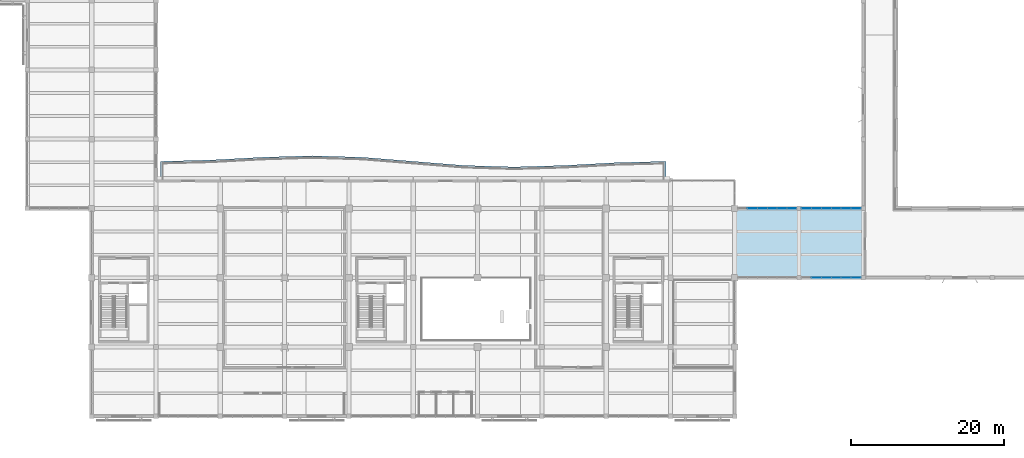
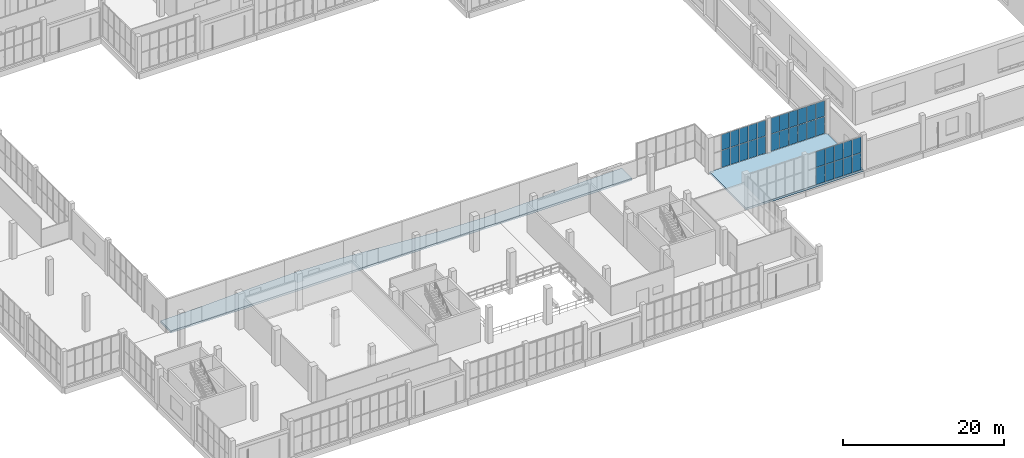
# One storey, part 100 of 132: 32 plates, 2 slabs, 3 elements without a shape of their own.
"""IFC4 building model written with IfcOpenShell, lengths in metres."""

from ifc_helpers import new_model, si_unit, direction, frame, origin, origin_2d, place, context, subcontext, project, spatial, polyline, rectangle, outline, extrude, material, layer, layer_set, type_object, element, aggregate, save


model = new_model("IFC4")

# Units and contexts
model_context = context("Model", 3, precision=1e-05, world=origin(), true_north=direction((0.0, 1.0)))
body_context = subcontext(model_context, "Body", "Model", "MODEL_VIEW")
ifc_project = project(units=[si_unit("LENGTHUNIT", "METRE"), si_unit("AREAUNIT", "SQUARE_METRE"), si_unit("VOLUMEUNIT", "CUBIC_METRE"), si_unit("PLANEANGLEUNIT", "RADIAN"), si_unit("MASSUNIT", "GRAM", prefix="KILO")], contexts=[model_context])

# Site, building, storey
site_placement = place(None, origin())
site = spatial("IfcSite", under=ifc_project, at=site_placement, CompositionType="ELEMENT")
building_placement = place(site_placement, origin())
building = spatial("IfcBuilding", under=site, at=building_placement, Name="Khurvash Pelagic Aquarium", CompositionType="ELEMENT")
storey_placement = place(building_placement, frame((0.0, 0.0, 5.39990234375)))
storey = spatial("IfcBuildingStorey", under=building, at=storey_placement, Name="L01", CompositionType="ELEMENT", Elevation=5.39990234375)

# Curtain wall, plates
ifc_material_1 = material(Name="Anodised aluminium and low-E laminated glass", Category="aluminium")
curtain_wall_type = type_object("IfcCurtainWallType", Name="CW-05", PredefinedType="USERDEFINED", material=ifc_material_1)
curtain_wall_1_placement = place(storey_placement, origin())
curtain_wall_1 = element("IfcCurtainWall", 1, at=curtain_wall_1_placement, inside=storey, type_object=curtain_wall_type, Name="L01 Facade Unitised Curtain Wall CW-05 0110", ObjectType="UNITISED CURTAIN WALL", PredefinedType="USERDEFINED")
ifc_material_2 = material(Name="Low-E laminated double glazing", Category="glass")
ifc_layer_1 = layer(ifc_material_2, 0.033935546875)
ifc_layer_set_1 = layer_set([ifc_layer_1], Name="Low-E laminated double glazing")
plate_type = type_object("IfcPlateType", Name="CG-05", PredefinedType="CURTAIN_PANEL", material=ifc_layer_set_1)
plate_1_placement = place(storey_placement, frame((119.8525390625, 20.699951171875, 0.06005859375), z_axis=(0.0, 0.0, 1.0), x_axis=(1.0, 0.0, 0.0)))
plate_1 = element("IfcPlate", 2, at=plate_1_placement, type_object=plate_type, Name="CW-05 panel 2.1", PredefinedType="CURTAIN_PANEL", context=body_context, shape_type="SweptSolid", body=[
    extrude(rectangle(XDim=1.23828125, YDim=0.033935546875, at=origin_2d()), origin(), (0.0, 0.0, 1.0), 2.56201171875),
])
plate_2_placement = place(storey_placement, frame((119.8525390625, 20.699951171875, 2.68212890625), z_axis=(0.0, 0.0, 1.0), x_axis=(1.0, 0.0, 0.0)))
plate_2 = element("IfcPlate", 3, at=plate_2_placement, type_object=plate_type, Name="CW-05 panel 2.2", PredefinedType="CURTAIN_PANEL", context=body_context, shape_type="SweptSolid", body=[
    extrude(rectangle(XDim=1.23828125, YDim=0.033935546875, at=origin_2d()), origin(), (0.0, 0.0, 1.0), 2.35791015625),
])
plate_3_placement = place(storey_placement, frame((121.15087890625, 20.699951171875, 0.06005859375), z_axis=(0.0, 0.0, 1.0), x_axis=(1.0, 0.0, 0.0)))
plate_3 = element("IfcPlate", 4, at=plate_3_placement, type_object=plate_type, Name="CW-05 panel 3.1", PredefinedType="CURTAIN_PANEL", context=body_context, shape_type="SweptSolid", body=[
    extrude(rectangle(XDim=1.23828125, YDim=0.033935546875, at=origin_2d()), origin(), (0.0, 0.0, 1.0), 2.56201171875),
])
plate_4_placement = place(storey_placement, frame((121.15087890625, 20.699951171875, 2.68212890625), z_axis=(0.0, 0.0, 1.0), x_axis=(1.0, 0.0, 0.0)))
plate_4 = element("IfcPlate", 5, at=plate_4_placement, type_object=plate_type, Name="CW-05 panel 3.2", PredefinedType="CURTAIN_PANEL", context=body_context, shape_type="SweptSolid", body=[
    extrude(rectangle(XDim=1.23828125, YDim=0.033935546875, at=origin_2d()), origin(), (0.0, 0.0, 1.0), 2.35791015625),
])
plate_5_placement = place(storey_placement, frame((122.44921875, 20.699951171875, 0.06005859375), z_axis=(0.0, 0.0, 1.0), x_axis=(1.0, 0.0, 0.0)))
plate_5 = element("IfcPlate", 6, at=plate_5_placement, type_object=plate_type, Name="CW-05 panel 4.1", PredefinedType="CURTAIN_PANEL", context=body_context, shape_type="SweptSolid", body=[
    extrude(rectangle(XDim=1.23828125, YDim=0.033935546875, at=origin_2d()), origin(), (0.0, 0.0, 1.0), 2.56201171875),
])
plate_6_placement = place(storey_placement, frame((122.44921875, 20.699951171875, 2.68212890625), z_axis=(0.0, 0.0, 1.0), x_axis=(1.0, 0.0, 0.0)))
plate_6 = element("IfcPlate", 7, at=plate_6_placement, type_object=plate_type, Name="CW-05 panel 4.2", PredefinedType="CURTAIN_PANEL", context=body_context, shape_type="SweptSolid", body=[
    extrude(rectangle(XDim=1.23828125, YDim=0.033935546875, at=origin_2d()), origin(), (0.0, 0.0, 1.0), 2.35791015625),
])
plate_7_placement = place(storey_placement, frame((123.74755859375, 20.699951171875, 0.06005859375), z_axis=(0.0, 0.0, 1.0), x_axis=(1.0, 0.0, 0.0)))
plate_7 = element("IfcPlate", 8, at=plate_7_placement, type_object=plate_type, Name="CW-05 panel 5.1", PredefinedType="CURTAIN_PANEL", context=body_context, shape_type="SweptSolid", body=[
    extrude(rectangle(XDim=1.23828125, YDim=0.033935546875, at=origin_2d()), origin(), (0.0, 0.0, 1.0), 2.56201171875),
])
plate_8_placement = place(storey_placement, frame((123.74755859375, 20.699951171875, 2.68212890625), z_axis=(0.0, 0.0, 1.0), x_axis=(1.0, 0.0, 0.0)))
plate_8 = element("IfcPlate", 9, at=plate_8_placement, type_object=plate_type, Name="CW-05 panel 5.2", PredefinedType="CURTAIN_PANEL", context=body_context, shape_type="SweptSolid", body=[
    extrude(rectangle(XDim=1.23828125, YDim=0.033935546875, at=origin_2d()), origin(), (0.0, 0.0, 1.0), 2.35791015625),
])
plate_9_placement = place(storey_placement, frame((125.03076171875, 20.699951171875, 0.06005859375), z_axis=(0.0, 0.0, 1.0), x_axis=(1.0, 0.0, 0.0)))
plate_9 = element("IfcPlate", 10, at=plate_9_placement, type_object=plate_type, Name="CW-05 panel 6.1", PredefinedType="CURTAIN_PANEL", context=body_context, shape_type="SweptSolid", body=[
    extrude(rectangle(XDim=1.208251953125, YDim=0.033935546875, at=origin_2d()), origin(), (0.0, 0.0, 1.0), 2.56201171875),
])
plate_10_placement = place(storey_placement, frame((125.03076171875, 20.699951171875, 2.68212890625), z_axis=(0.0, 0.0, 1.0), x_axis=(1.0, 0.0, 0.0)))
plate_10 = element("IfcPlate", 11, at=plate_10_placement, type_object=plate_type, Name="CW-05 panel 6.2", PredefinedType="CURTAIN_PANEL", context=body_context, shape_type="SweptSolid", body=[
    extrude(rectangle(XDim=1.208251953125, YDim=0.033935546875, at=origin_2d()), origin(), (0.0, 0.0, 1.0), 2.35791015625),
])
aggregate(curtain_wall_1, [plate_1, plate_2, plate_3, plate_4, plate_5, plate_6, plate_7, plate_8, plate_9, plate_10])

curtain_wall_2_placement = place(storey_placement, origin())
curtain_wall_2 = element("IfcCurtainWall", 12, at=curtain_wall_2_placement, inside=storey, type_object=curtain_wall_type, Name="L01 Facade Unitised Curtain Wall CW-05 0144", ObjectType="UNITISED CURTAIN WALL", PredefinedType="USERDEFINED")
plate_11_placement = place(storey_placement, frame((125.03076171875, 29.75, 0.06005859375), z_axis=(0.0, 0.0, 1.0), x_axis=(-1.0, 0.0, 0.0)))
plate_11 = element("IfcPlate", 13, at=plate_11_placement, type_object=plate_type, Name="CW-05 panel 1.1", PredefinedType="CURTAIN_PANEL", context=body_context, shape_type="SweptSolid", body=[
    extrude(rectangle(XDim=1.208251953125, YDim=0.033935546875, at=origin_2d()), origin(), (0.0, 0.0, 1.0), 2.56201171875),
])
plate_12_placement = place(storey_placement, frame((125.03076171875, 29.75, 2.68212890625), z_axis=(0.0, 0.0, 1.0), x_axis=(-1.0, 0.0, 0.0)))
plate_12 = element("IfcPlate", 14, at=plate_12_placement, type_object=plate_type, Name="CW-05 panel 1.2", PredefinedType="CURTAIN_PANEL", context=body_context, shape_type="SweptSolid", body=[
    extrude(rectangle(XDim=1.208251953125, YDim=0.033935546875, at=origin_2d()), origin(), (0.0, 0.0, 1.0), 2.35791015625),
])
plate_13_placement = place(storey_placement, frame((123.74755859375, 29.75, 0.06005859375), z_axis=(0.0, 0.0, 1.0), x_axis=(-1.0, 0.0, 0.0)))
plate_13 = element("IfcPlate", 15, at=plate_13_placement, type_object=plate_type, Name="CW-05 panel 2.1", PredefinedType="CURTAIN_PANEL", context=body_context, shape_type="SweptSolid", body=[
    extrude(rectangle(XDim=1.23828125, YDim=0.033935546875, at=origin_2d()), origin(), (0.0, 0.0, 1.0), 2.56201171875),
])
plate_14_placement = place(storey_placement, frame((123.74755859375, 29.75, 2.68212890625), z_axis=(0.0, 0.0, 1.0), x_axis=(-1.0, 0.0, 0.0)))
plate_14 = element("IfcPlate", 16, at=plate_14_placement, type_object=plate_type, Name="CW-05 panel 2.2", PredefinedType="CURTAIN_PANEL", context=body_context, shape_type="SweptSolid", body=[
    extrude(rectangle(XDim=1.23828125, YDim=0.033935546875, at=origin_2d()), origin(), (0.0, 0.0, 1.0), 2.35791015625),
])
plate_15_placement = place(storey_placement, frame((122.44921875, 29.75, 0.06005859375), z_axis=(0.0, 0.0, 1.0), x_axis=(-1.0, 0.0, 0.0)))
plate_15 = element("IfcPlate", 17, at=plate_15_placement, type_object=plate_type, Name="CW-05 panel 3.1", PredefinedType="CURTAIN_PANEL", context=body_context, shape_type="SweptSolid", body=[
    extrude(rectangle(XDim=1.23828125, YDim=0.033935546875, at=origin_2d()), origin(), (0.0, 0.0, 1.0), 2.56201171875),
])
plate_16_placement = place(storey_placement, frame((122.44921875, 29.75, 2.68212890625), z_axis=(0.0, 0.0, 1.0), x_axis=(-1.0, 0.0, 0.0)))
plate_16 = element("IfcPlate", 18, at=plate_16_placement, type_object=plate_type, Name="CW-05 panel 3.2", PredefinedType="CURTAIN_PANEL", context=body_context, shape_type="SweptSolid", body=[
    extrude(rectangle(XDim=1.23828125, YDim=0.033935546875, at=origin_2d()), origin(), (0.0, 0.0, 1.0), 2.35791015625),
])
plate_17_placement = place(storey_placement, frame((121.15087890625, 29.75, 0.06005859375), z_axis=(0.0, 0.0, 1.0), x_axis=(-1.0, 0.0, 0.0)))
plate_17 = element("IfcPlate", 19, at=plate_17_placement, type_object=plate_type, Name="CW-05 panel 4.1", PredefinedType="CURTAIN_PANEL", context=body_context, shape_type="SweptSolid", body=[
    extrude(rectangle(XDim=1.23828125, YDim=0.033935546875, at=origin_2d()), origin(), (0.0, 0.0, 1.0), 2.56201171875),
])
plate_18_placement = place(storey_placement, frame((121.15087890625, 29.75, 2.68212890625), z_axis=(0.0, 0.0, 1.0), x_axis=(-1.0, 0.0, 0.0)))
plate_18 = element("IfcPlate", 20, at=plate_18_placement, type_object=plate_type, Name="CW-05 panel 4.2", PredefinedType="CURTAIN_PANEL", context=body_context, shape_type="SweptSolid", body=[
    extrude(rectangle(XDim=1.23828125, YDim=0.033935546875, at=origin_2d()), origin(), (0.0, 0.0, 1.0), 2.35791015625),
])
plate_19_placement = place(storey_placement, frame((119.8525390625, 29.75, 0.06005859375), z_axis=(0.0, 0.0, 1.0), x_axis=(-1.0, 0.0, 0.0)))
plate_19 = element("IfcPlate", 21, at=plate_19_placement, type_object=plate_type, Name="CW-05 panel 5.1", PredefinedType="CURTAIN_PANEL", context=body_context, shape_type="SweptSolid", body=[
    extrude(rectangle(XDim=1.23828125, YDim=0.033935546875, at=origin_2d()), origin(), (0.0, 0.0, 1.0), 2.56201171875),
])
plate_20_placement = place(storey_placement, frame((119.8525390625, 29.75, 2.68212890625), z_axis=(0.0, 0.0, 1.0), x_axis=(-1.0, 0.0, 0.0)))
plate_20 = element("IfcPlate", 22, at=plate_20_placement, type_object=plate_type, Name="CW-05 panel 5.2", PredefinedType="CURTAIN_PANEL", context=body_context, shape_type="SweptSolid", body=[
    extrude(rectangle(XDim=1.23828125, YDim=0.033935546875, at=origin_2d()), origin(), (0.0, 0.0, 1.0), 2.35791015625),
])
plate_21_placement = place(storey_placement, frame((118.569091796875, 29.75, 0.06005859375), z_axis=(0.0, 0.0, 1.0), x_axis=(-1.0, 0.0, 0.0)))
plate_21 = element("IfcPlate", 23, at=plate_21_placement, type_object=plate_type, Name="CW-05 panel 6.1", PredefinedType="CURTAIN_PANEL", context=body_context, shape_type="SweptSolid", body=[
    extrude(rectangle(XDim=1.208251953125, YDim=0.033935546875, at=origin_2d()), origin(), (0.0, 0.0, 1.0), 2.56201171875),
])
plate_22_placement = place(storey_placement, frame((118.569091796875, 29.75, 2.68212890625), z_axis=(0.0, 0.0, 1.0), x_axis=(-1.0, 0.0, 0.0)))
plate_22 = element("IfcPlate", 24, at=plate_22_placement, type_object=plate_type, Name="CW-05 panel 6.2", PredefinedType="CURTAIN_PANEL", context=body_context, shape_type="SweptSolid", body=[
    extrude(rectangle(XDim=1.208251953125, YDim=0.033935546875, at=origin_2d()), origin(), (0.0, 0.0, 1.0), 2.35791015625),
])
aggregate(curtain_wall_2, [plate_11, plate_12, plate_13, plate_14, plate_15, plate_16, plate_17, plate_18, plate_19, plate_20, plate_21, plate_22])

curtain_wall_3_placement = place(storey_placement, origin())
curtain_wall_3 = element("IfcCurtainWall", 25, at=curtain_wall_3_placement, inside=storey, type_object=curtain_wall_type, Name="L01 Facade Unitised Curtain Wall CW-05 0145", ObjectType="UNITISED CURTAIN WALL", PredefinedType="USERDEFINED")
plate_23_placement = place(storey_placement, frame((116.63916015625, 29.75, 0.06005859375), z_axis=(0.0, 0.0, 1.0), x_axis=(-1.0, 0.0, 0.0)))
plate_23 = element("IfcPlate", 26, at=plate_23_placement, type_object=plate_type, Name="CW-05 panel 1.1", PredefinedType="CURTAIN_PANEL", context=body_context, shape_type="SweptSolid", body=[
    extrude(rectangle(XDim=1.191650390625, YDim=0.033935546875, at=origin_2d()), origin(), (0.0, 0.0, 1.0), 2.56201171875),
])
plate_24_placement = place(storey_placement, frame((116.63916015625, 29.75, 2.68212890625), z_axis=(0.0, 0.0, 1.0), x_axis=(-1.0, 0.0, 0.0)))
plate_24 = element("IfcPlate", 27, at=plate_24_placement, type_object=plate_type, Name="CW-05 panel 1.2", PredefinedType="CURTAIN_PANEL", context=body_context, shape_type="SweptSolid", body=[
    extrude(rectangle(XDim=1.191650390625, YDim=0.033935546875, at=origin_2d()), origin(), (0.0, 0.0, 1.0), 2.35791015625),
])
plate_25_placement = place(storey_placement, frame((115.37255859375, 29.75, 0.06005859375), z_axis=(0.0, 0.0, 1.0), x_axis=(-1.0, 0.0, 0.0)))
plate_25 = element("IfcPlate", 28, at=plate_25_placement, type_object=plate_type, Name="CW-05 panel 2.1", PredefinedType="CURTAIN_PANEL", context=body_context, shape_type="SweptSolid", body=[
    extrude(rectangle(XDim=1.2216796875, YDim=0.033935546875, at=origin_2d()), origin(), (0.0, 0.0, 1.0), 2.56201171875),
])
plate_26_placement = place(storey_placement, frame((115.37255859375, 29.75, 2.68212890625), z_axis=(0.0, 0.0, 1.0), x_axis=(-1.0, 0.0, 0.0)))
plate_26 = element("IfcPlate", 29, at=plate_26_placement, type_object=plate_type, Name="CW-05 panel 2.2", PredefinedType="CURTAIN_PANEL", context=body_context, shape_type="SweptSolid", body=[
    extrude(rectangle(XDim=1.2216796875, YDim=0.033935546875, at=origin_2d()), origin(), (0.0, 0.0, 1.0), 2.35791015625),
])
plate_27_placement = place(storey_placement, frame((114.0908203125, 29.75, 0.06005859375), z_axis=(0.0, 0.0, 1.0), x_axis=(-1.0, 0.0, 0.0)))
plate_27 = element("IfcPlate", 30, at=plate_27_placement, type_object=plate_type, Name="CW-05 panel 3.1", PredefinedType="CURTAIN_PANEL", context=body_context, shape_type="SweptSolid", body=[
    extrude(rectangle(XDim=1.2216796875, YDim=0.033935546875, at=origin_2d()), origin(), (0.0, 0.0, 1.0), 2.56201171875),
])
plate_28_placement = place(storey_placement, frame((114.0908203125, 29.75, 2.68212890625), z_axis=(0.0, 0.0, 1.0), x_axis=(-1.0, 0.0, 0.0)))
plate_28 = element("IfcPlate", 31, at=plate_28_placement, type_object=plate_type, Name="CW-05 panel 3.2", PredefinedType="CURTAIN_PANEL", context=body_context, shape_type="SweptSolid", body=[
    extrude(rectangle(XDim=1.2216796875, YDim=0.033935546875, at=origin_2d()), origin(), (0.0, 0.0, 1.0), 2.35791015625),
])
plate_29_placement = place(storey_placement, frame((112.80908203125, 29.75, 0.06005859375), z_axis=(0.0, 0.0, 1.0), x_axis=(-1.0, 0.0, 0.0)))
plate_29 = element("IfcPlate", 32, at=plate_29_placement, type_object=plate_type, Name="CW-05 panel 4.1", PredefinedType="CURTAIN_PANEL", context=body_context, shape_type="SweptSolid", body=[
    extrude(rectangle(XDim=1.2216796875, YDim=0.033935546875, at=origin_2d()), origin(), (0.0, 0.0, 1.0), 2.56201171875),
])
plate_30_placement = place(storey_placement, frame((112.80908203125, 29.75, 2.68212890625), z_axis=(0.0, 0.0, 1.0), x_axis=(-1.0, 0.0, 0.0)))
plate_30 = element("IfcPlate", 33, at=plate_30_placement, type_object=plate_type, Name="CW-05 panel 4.2", PredefinedType="CURTAIN_PANEL", context=body_context, shape_type="SweptSolid", body=[
    extrude(rectangle(XDim=1.2216796875, YDim=0.033935546875, at=origin_2d()), origin(), (0.0, 0.0, 1.0), 2.35791015625),
])
plate_31_placement = place(storey_placement, frame((111.527587890625, 29.75, 0.06005859375), z_axis=(0.0, 0.0, 1.0), x_axis=(-1.0, 0.0, 0.0)))
plate_31 = element("IfcPlate", 34, at=plate_31_placement, type_object=plate_type, Name="CW-05 panel 5.1", PredefinedType="CURTAIN_PANEL", context=body_context, shape_type="SweptSolid", body=[
    extrude(rectangle(XDim=1.2216796875, YDim=0.033935546875, at=origin_2d()), origin(), (0.0, 0.0, 1.0), 2.56201171875),
])
plate_32_placement = place(storey_placement, frame((111.527587890625, 29.75, 2.68212890625), z_axis=(0.0, 0.0, 1.0), x_axis=(-1.0, 0.0, 0.0)))
plate_32 = element("IfcPlate", 35, at=plate_32_placement, type_object=plate_type, Name="CW-05 panel 5.2", PredefinedType="CURTAIN_PANEL", context=body_context, shape_type="SweptSolid", body=[
    extrude(rectangle(XDim=1.2216796875, YDim=0.033935546875, at=origin_2d()), origin(), (0.0, 0.0, 1.0), 2.35791015625),
])
aggregate(curtain_wall_3, [plate_23, plate_24, plate_25, plate_26, plate_27, plate_28, plate_29, plate_30, plate_31, plate_32])

# Slabs
ifc_material_3 = material(Name="Concrete C40/50", Category="concrete")
ifc_layer_2 = layer(ifc_material_3, 0.31005859375)
ifc_layer_set_2 = layer_set([ifc_layer_2], Name="Concrete C40/50")
slab_type_1 = type_object("IfcSlabType", Name="FS-310", PredefinedType="FLOOR", material=ifc_layer_set_2)
slab_1_placement = place(storey_placement, frame((0.0, 0.0, -0.309814453125)))
element("IfcSlab", 36, at=slab_1_placement, inside=storey, type_object=slab_type_1, Name="L01 Structural Floor Slab FS-310 V1_SLINK.1", PredefinedType="FLOOR", context=body_context, shape_type="SweptSolid", body=[
    extrude(outline(polyline([(126.0, 29.75), (109.199951171875, 29.75), (109.199951171875, 20.699951171875), (126.0, 20.699951171875), (126.0, 29.75)])), origin(), (0.0, 0.0, 1.0), 0.309814453125),
])
ifc_material_4 = material(Name="Water-retaining concrete C40/50", Category="concrete")
ifc_layer_3 = layer(ifc_material_4, 0.320068359375)
ifc_layer_set_3 = layer_set([ifc_layer_3], Name="Water-retaining concrete C40/50")
slab_type_2 = type_object("IfcSlabType", Name="TR-320", PredefinedType="FLOOR", material=ifc_layer_set_3)
slab_2_placement = place(storey_placement, frame((0.0, 0.0, -0.31982421875)))
element("IfcSlab", 37, at=slab_2_placement, inside=storey, type_object=slab_type_2, Name="L01 Planted Monsoon Terrace Slab TR-320 TERR_L01_S", PredefinedType="FLOOR", context=body_context, shape_type="SweptSolid", body=[
    extrude(outline(polyline([(34.199951171875, 33.35009765625), (53.199951171875, 33.35009765625), (81.199951171875, 33.35009765625), (100.199951171875, 33.35009765625), (100.199951171875, 35.89990234375), (93.60009765625, 35.72705078125), (87.0, 35.368896484375), (80.39990234375, 35.1689453125), (73.800048828125, 35.368896484375), (67.199951171875, 35.89990234375), (60.60009765625, 36.430908203125), (54.0, 36.631103515625), (47.39990234375, 36.430908203125), (40.800048828125, 36.072998046875), (34.199951171875, 35.89990234375), (34.199951171875, 33.35009765625)])), origin(), (0.0, 0.0, 1.0), 0.31982421875),
])

save(model, "model.ifc")
